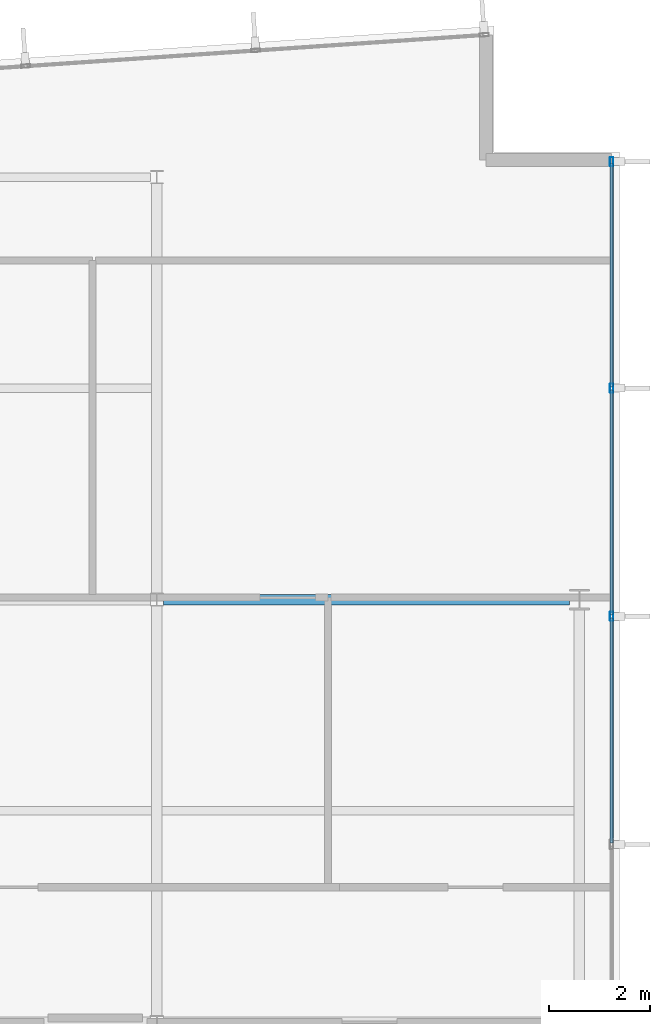
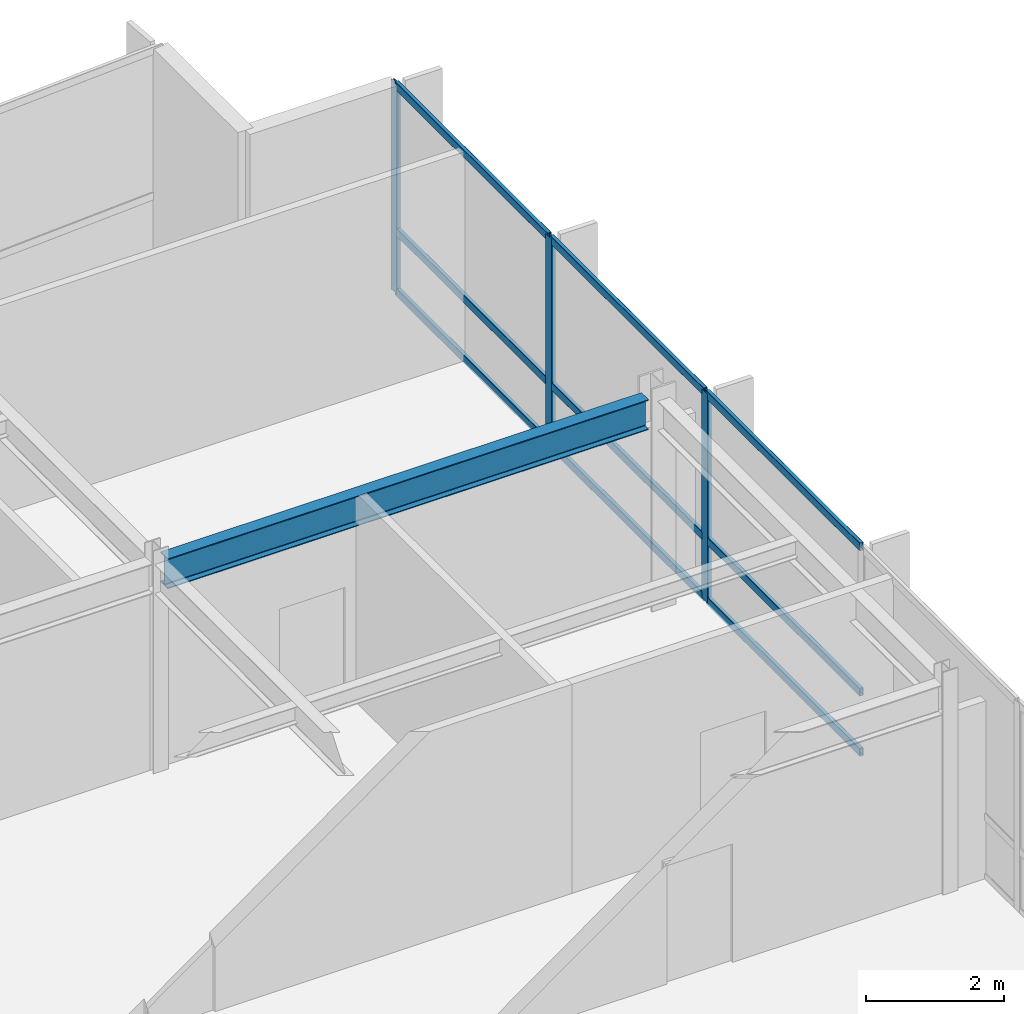
# One storey, part 7 of 15: 12 members, 1 beam, 1 element without a shape of its own.
"""IFC4 building model written with IfcOpenShell, lengths in metres."""

from ifc_helpers import new_model, si_unit, direction, frame, origin, origin_2d, place, context, subcontext, project, spatial, hollow_rectangle, i_section, extrude, material, layer, layer_set, material_profile, profile_set, type_object, element, aggregate, save


model = new_model("IFC4")

# Units and contexts
model_context = context("Model", 3, precision=1e-05, world=origin(), true_north=direction((0.0, 1.0)))
body_context = subcontext(model_context, "Body", "Model", "MODEL_VIEW")
ifc_project = project(units=[si_unit("LENGTHUNIT", "METRE"), si_unit("AREAUNIT", "SQUARE_METRE"), si_unit("VOLUMEUNIT", "CUBIC_METRE"), si_unit("PLANEANGLEUNIT", "RADIAN"), si_unit("MASSUNIT", "GRAM", prefix="KILO")], contexts=[model_context])

# Site, building, storey
site_placement = place(None, origin())
site = spatial("IfcSite", under=ifc_project, at=site_placement, CompositionType="ELEMENT")
building_placement = place(site_placement, origin())
building = spatial("IfcBuilding", under=site, at=building_placement, Name="Varnakote Quay Hospital", CompositionType="ELEMENT")
storey_placement = place(building_placement, frame((0.0, 0.0, 207.89990234375)))
storey = spatial("IfcBuildingStorey", under=building, at=storey_placement, Name="L51", CompositionType="ELEMENT", Elevation=207.89990234375)

# Beam
ifc_material_1 = material(Name="Structural steel AS/NZS 3679.1 Grade 350 L0 (fy 340 MPa)", Category="steel")
ifc_material_profile_1 = material_profile(ifc_material_1, i_section(OverallWidth=0.208984375, OverallDepth=0.532958984375, WebThickness=0.01025390625, FlangeThickness=0.015625, FilletRadius=0.013916015625, at=origin_2d()), Name="530UB92.4")
ifc_profile_set_1 = profile_set([ifc_material_profile_1], Name="Structural steel AS/NZS 3679.1 Grade 350 L0 (fy 340 MPa)")
beam_type = type_object("IfcBeamType", Name="BM-STL-530UB92-4", PredefinedType="BEAM", material=ifc_profile_set_1)
beam_placement = place(storey_placement, frame((42.1279296875, 20.39990234375, 3.443603515625), z_axis=(1.0, 0.0, 0.0), x_axis=(0.0, 1.0, 0.0)))
element("IfcBeam", 1, at=beam_placement, inside=storey, type_object=beam_type, Name="L51 Primary Floor Beam", PredefinedType="BEAM", context=body_context, shape_type="SweptSolid", body=[
    extrude(i_section(OverallWidth=0.208984375, OverallDepth=0.532958984375, WebThickness=0.01025390625, FlangeThickness=0.015625, FilletRadius=0.013916015625, at=origin_2d()), origin(), (0.0, 0.0, 1.0), 8.072021484375),
])

# Curtain wall, members
ifc_material_2 = material(Name="Anodised aluminium 6063-T6 Bronze", Category="aluminium")
ifc_layer = layer(ifc_material_2, 0.219970703125)
ifc_layer_set = layer_set([ifc_layer], Name="Anodised aluminium 6063-T6 Bronze")
curtain_wall_type = type_object("IfcCurtainWallType", Name="CW-SYS-4", PredefinedType="NOTDEFINED", material=ifc_layer_set)
curtain_wall_placement = place(storey_placement, origin())
curtain_wall = element("IfcCurtainWall", 2, at=curtain_wall_placement, inside=storey, type_object=curtain_wall_type, Name="L51 Unitised Bronze Curtain Wall 1", PredefinedType="NOTDEFINED")
ifc_material_3 = material(Name="Anodised aluminium 6063-T6 Bronze", Category="aluminium")
ifc_material_profile_2 = material_profile(ifc_material_3, hollow_rectangle(XDim=0.06494140625, YDim=0.179931640625, WallThickness=0.00390625, InnerFilletRadius=0.00390625, OuterFilletRadius=0.008056640625, at=origin_2d()), Name="CW-MULL-180x65")
ifc_profile_set_2 = profile_set([ifc_material_profile_2], Name="Anodised aluminium 6063-T6 Bronze")
member_type_1 = type_object("IfcMemberType", Name="CW-MULL-180x65", PredefinedType="MULLION", material=ifc_profile_set_2)
member_1_placement = place(storey_placement, frame((51.0400390625, 20.068115234375, 0.0), z_axis=(0.0, 0.0, 1.0), x_axis=(-1.0, 0.0, 0.0)))
member_1 = element("IfcMember", 3, at=member_1_placement, type_object=member_type_1, Name="-4-L51-1 mullion 4", PredefinedType="MULLION", context=body_context, shape_type="SweptSolid", body=[
    extrude(hollow_rectangle(XDim=0.06494140625, YDim=0.179931640625, WallThickness=0.00390625, InnerFilletRadius=0.00390625, OuterFilletRadius=0.008056640625, at=origin_2d()), origin(), (0.0, 0.0, 1.0), 3.710205078125),
])
member_2_placement = place(storey_placement, frame((51.0400390625, 24.60400390625, 0.0), z_axis=(0.0, 0.0, 1.0), x_axis=(-1.0, 0.0, 0.0)))
member_2 = element("IfcMember", 4, at=member_2_placement, type_object=member_type_1, Name="-4-L51-1 mullion 5", PredefinedType="MULLION", context=body_context, shape_type="SweptSolid", body=[
    extrude(hollow_rectangle(XDim=0.06494140625, YDim=0.179931640625, WallThickness=0.00390625, InnerFilletRadius=0.00390625, OuterFilletRadius=0.008056640625, at=origin_2d()), origin(), (0.0, 0.0, 1.0), 3.710205078125),
])
member_3_placement = place(storey_placement, frame((51.0400390625, 29.107421875, 0.0), z_axis=(0.0, 0.0, 1.0), x_axis=(-1.0, 0.0, 0.0)))
member_3 = element("IfcMember", 5, at=member_3_placement, type_object=member_type_1, Name="-4-L51-1 mullion 6", PredefinedType="MULLION", context=body_context, shape_type="SweptSolid", body=[
    extrude(hollow_rectangle(XDim=0.06494140625, YDim=0.179931640625, WallThickness=0.00390625, InnerFilletRadius=0.00390625, OuterFilletRadius=0.008056640625, at=origin_2d()), origin(), (0.0, 0.0, 1.0), 3.710205078125),
])
ifc_material_4 = material(Name="Anodised aluminium 6063-T6 Bronze", Category="aluminium")
ifc_material_profile_3 = material_profile(ifc_material_4, hollow_rectangle(XDim=0.06494140625, YDim=0.139892578125, WallThickness=0.00390625, InnerFilletRadius=0.00390625, OuterFilletRadius=0.007568359375, at=origin_2d()), Name="CW-TRAN-140x65")
ifc_profile_set_3 = profile_set([ifc_material_profile_3], Name="Anodised aluminium 6063-T6 Bronze")
member_type_2 = type_object("IfcMemberType", Name="CW-TRAN-140x65", PredefinedType="USERDEFINED", material=ifc_profile_set_3)
member_4_placement = place(storey_placement, frame((51.0400390625, 15.564453125, 0.03271484375), z_axis=(0.0, 1.0, 0.0), x_axis=(-1.0, 0.0, 0.0)))
member_4 = element("IfcMember", 6, at=member_4_placement, type_object=member_type_2, Name="-4-L51-1 transom 3.1", ObjectType="TRANSOM", PredefinedType="USERDEFINED", context=body_context, shape_type="SweptSolid", body=[
    extrude(hollow_rectangle(XDim=0.06494140625, YDim=0.139892578125, WallThickness=0.00390625, InnerFilletRadius=0.00390625, OuterFilletRadius=0.007568359375, at=origin_2d()), origin(), (0.0, 0.0, 1.0), 4.470947265625),
])
member_5_placement = place(storey_placement, frame((51.0400390625, 15.564453125, 1.10009765625), z_axis=(0.0, 1.0, 0.0), x_axis=(-1.0, 0.0, 0.0)))
member_5 = element("IfcMember", 7, at=member_5_placement, type_object=member_type_2, Name="-4-L51-1 transom 3.2", ObjectType="TRANSOM", PredefinedType="USERDEFINED", context=body_context, shape_type="SweptSolid", body=[
    extrude(hollow_rectangle(XDim=0.06494140625, YDim=0.139892578125, WallThickness=0.00390625, InnerFilletRadius=0.00390625, OuterFilletRadius=0.007568359375, at=origin_2d()), origin(), (0.0, 0.0, 1.0), 4.470947265625),
])
member_6_placement = place(storey_placement, frame((51.0400390625, 15.564453125, 3.677490234375), z_axis=(0.0, 1.0, 0.0), x_axis=(-1.0, 0.0, 0.0)))
member_6 = element("IfcMember", 8, at=member_6_placement, type_object=member_type_2, Name="-4-L51-1 transom 3.3", ObjectType="TRANSOM", PredefinedType="USERDEFINED", context=body_context, shape_type="SweptSolid", body=[
    extrude(hollow_rectangle(XDim=0.06494140625, YDim=0.139892578125, WallThickness=0.00390625, InnerFilletRadius=0.00390625, OuterFilletRadius=0.007568359375, at=origin_2d()), origin(), (0.0, 0.0, 1.0), 4.470947265625),
])
member_7_placement = place(storey_placement, frame((51.0400390625, 20.1005859375, 0.03271484375), z_axis=(0.0, 1.0, 0.0), x_axis=(-1.0, 0.0, 0.0)))
member_7 = element("IfcMember", 9, at=member_7_placement, type_object=member_type_2, Name="-4-L51-1 transom 4.1", ObjectType="TRANSOM", PredefinedType="USERDEFINED", context=body_context, shape_type="SweptSolid", body=[
    extrude(hollow_rectangle(XDim=0.06494140625, YDim=0.139892578125, WallThickness=0.00390625, InnerFilletRadius=0.00390625, OuterFilletRadius=0.007568359375, at=origin_2d()), origin(), (0.0, 0.0, 1.0), 4.470947265625),
])
member_8_placement = place(storey_placement, frame((51.0400390625, 20.1005859375, 1.10009765625), z_axis=(0.0, 1.0, 0.0), x_axis=(-1.0, 0.0, 0.0)))
member_8 = element("IfcMember", 10, at=member_8_placement, type_object=member_type_2, Name="-4-L51-1 transom 4.2", ObjectType="TRANSOM", PredefinedType="USERDEFINED", context=body_context, shape_type="SweptSolid", body=[
    extrude(hollow_rectangle(XDim=0.06494140625, YDim=0.139892578125, WallThickness=0.00390625, InnerFilletRadius=0.00390625, OuterFilletRadius=0.007568359375, at=origin_2d()), origin(), (0.0, 0.0, 1.0), 4.470947265625),
])
member_9_placement = place(storey_placement, frame((51.0400390625, 20.1005859375, 3.677490234375), z_axis=(0.0, 1.0, 0.0), x_axis=(-1.0, 0.0, 0.0)))
member_9 = element("IfcMember", 11, at=member_9_placement, type_object=member_type_2, Name="-4-L51-1 transom 4.3", ObjectType="TRANSOM", PredefinedType="USERDEFINED", context=body_context, shape_type="SweptSolid", body=[
    extrude(hollow_rectangle(XDim=0.06494140625, YDim=0.139892578125, WallThickness=0.00390625, InnerFilletRadius=0.00390625, OuterFilletRadius=0.007568359375, at=origin_2d()), origin(), (0.0, 0.0, 1.0), 4.470947265625),
])
member_10_placement = place(storey_placement, frame((51.0400390625, 24.636474609375, 0.03271484375), z_axis=(0.0, 1.0, 0.0), x_axis=(-1.0, 0.0, 0.0)))
member_10 = element("IfcMember", 12, at=member_10_placement, type_object=member_type_2, Name="-4-L51-1 transom 5.1", ObjectType="TRANSOM", PredefinedType="USERDEFINED", context=body_context, shape_type="SweptSolid", body=[
    extrude(hollow_rectangle(XDim=0.06494140625, YDim=0.139892578125, WallThickness=0.00390625, InnerFilletRadius=0.00390625, OuterFilletRadius=0.007568359375, at=origin_2d()), origin(), (0.0, 0.0, 1.0), 4.4384765625),
])
member_11_placement = place(storey_placement, frame((51.0400390625, 24.636474609375, 1.10009765625), z_axis=(0.0, 1.0, 0.0), x_axis=(-1.0, 0.0, 0.0)))
member_11 = element("IfcMember", 13, at=member_11_placement, type_object=member_type_2, Name="-4-L51-1 transom 5.2", ObjectType="TRANSOM", PredefinedType="USERDEFINED", context=body_context, shape_type="SweptSolid", body=[
    extrude(hollow_rectangle(XDim=0.06494140625, YDim=0.139892578125, WallThickness=0.00390625, InnerFilletRadius=0.00390625, OuterFilletRadius=0.007568359375, at=origin_2d()), origin(), (0.0, 0.0, 1.0), 4.4384765625),
])
member_12_placement = place(storey_placement, frame((51.0400390625, 24.636474609375, 3.677490234375), z_axis=(0.0, 1.0, 0.0), x_axis=(-1.0, 0.0, 0.0)))
member_12 = element("IfcMember", 14, at=member_12_placement, type_object=member_type_2, Name="-4-L51-1 transom 5.3", ObjectType="TRANSOM", PredefinedType="USERDEFINED", context=body_context, shape_type="SweptSolid", body=[
    extrude(hollow_rectangle(XDim=0.06494140625, YDim=0.139892578125, WallThickness=0.00390625, InnerFilletRadius=0.00390625, OuterFilletRadius=0.007568359375, at=origin_2d()), origin(), (0.0, 0.0, 1.0), 4.4384765625),
])
aggregate(curtain_wall, [member_1, member_2, member_3, member_4, member_5, member_6, member_7, member_8, member_9, member_10, member_11, member_12])

save(model, "model.ifc")
